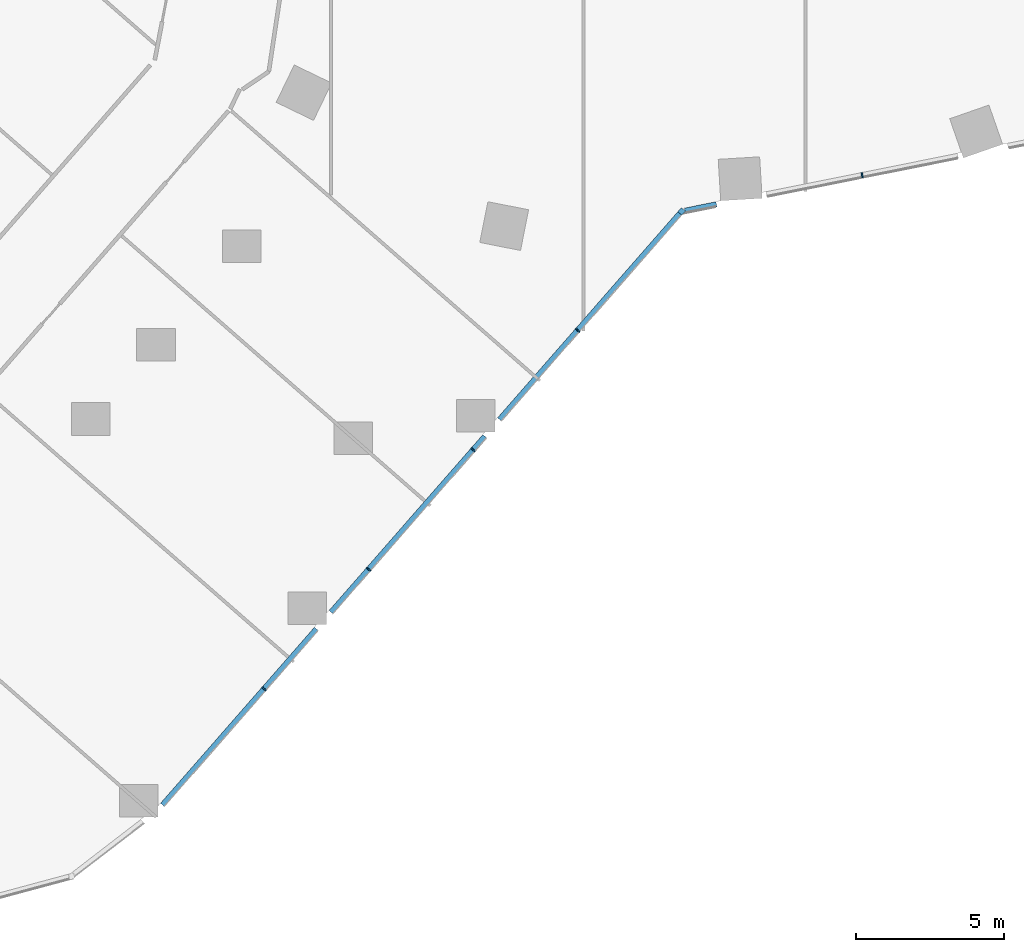
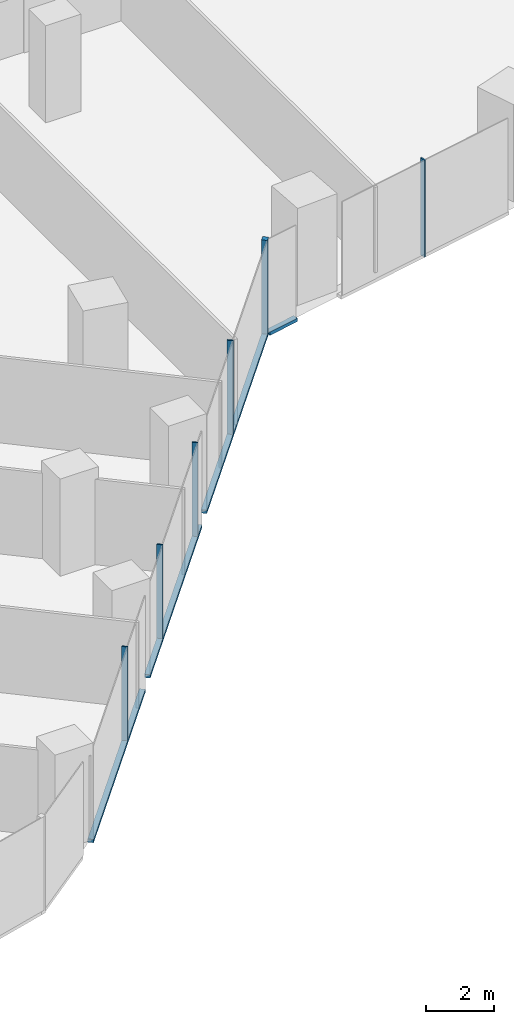
# One storey, part 4 of 38: 10 members, 2 elements without a shape of their own.
"""IFC4 building model written with IfcOpenShell, lengths in metres."""

from ifc_helpers import new_model, si_unit, direction, frame, origin, origin_2d, place, context, subcontext, project, spatial, rectangle, extrude, material, material_profile, profile_set, type_object, element, aggregate, save


model = new_model("IFC4")

# Units and contexts
model_context = context("Model", 3, precision=1e-05, world=origin(), true_north=direction((0.0, 1.0)))
body_context = subcontext(model_context, "Body", "Model", "MODEL_VIEW")
ifc_project = project(units=[si_unit("LENGTHUNIT", "METRE"), si_unit("AREAUNIT", "SQUARE_METRE"), si_unit("VOLUMEUNIT", "CUBIC_METRE"), si_unit("PLANEANGLEUNIT", "RADIAN"), si_unit("MASSUNIT", "GRAM", prefix="KILO")], contexts=[model_context])

# Site, building, storey
site_placement = place(None, origin())
site = spatial("IfcSite", under=ifc_project, at=site_placement, CompositionType="ELEMENT")
building_placement = place(site_placement, origin())
building = spatial("IfcBuilding", under=site, at=building_placement, Name="Orlundy Tower", CompositionType="ELEMENT")
storey_placement = place(building_placement, frame((0.0, 0.0, 62.300048828125)))
storey = spatial("IfcBuildingStorey", under=building, at=storey_placement, Name="L14", CompositionType="ELEMENT", Elevation=62.300048828125)

# Curtain wall, member
ifc_material_1 = material(Name="Aluminium bronze anodised", Category="aluminium")
curtain_wall_type = type_object("IfcCurtainWallType", Name="CW1 wall", PredefinedType="NOTDEFINED", material=ifc_material_1)
curtain_wall_1_placement = place(storey_placement, origin())
curtain_wall_1 = element("IfcCurtainWall", 1, at=curtain_wall_1_placement, inside=storey, type_object=curtain_wall_type, Name="CW1 run 02", PredefinedType="NOTDEFINED")
ifc_material_2 = material(Name="Aluminium bronze anodised", Category="aluminium")
ifc_material_profile_1 = material_profile(ifc_material_2, rectangle(XDim=0.179931640625, YDim=0.179931640625, at=origin_2d()), Name="CW1 corner post 180x180")
ifc_profile_set_1 = profile_set([ifc_material_profile_1], Name="Aluminium bronze anodised")
member_type_1 = type_object("IfcMemberType", Name="CW1 corner post 180x180", PredefinedType="MULLION", material=ifc_profile_set_1)
member_1_placement = place(storey_placement, frame((-0.178466796875, -30.72412109375, -0.400146484375), z_axis=(0.0, 0.0, 1.0), x_axis=(0.752791745563, -0.658258754452, 0.0)))
member_1 = element("IfcMember", 2, at=member_1_placement, type_object=member_type_1, Name="CW1 mullion 9", PredefinedType="MULLION", context=body_context, shape_type="SweptSolid", body=[
    extrude(rectangle(XDim=0.179931640625, YDim=0.179931640625, at=origin_2d()), origin(), (0.0, 0.0, 1.0), 3.5),
])

curtain_wall_2_placement = place(storey_placement, origin())
curtain_wall_2 = element("IfcCurtainWall", 3, at=curtain_wall_2_placement, inside=storey, type_object=curtain_wall_type, Name="CW1 run 01", PredefinedType="NOTDEFINED")
ifc_material_3 = material(Name="Aluminium bronze anodised", Category="aluminium")
ifc_material_profile_2 = material_profile(ifc_material_3, rectangle(XDim=0.179931640625, YDim=0.050048828125, at=origin_2d()), Name="CW1 mullion 50x180")
ifc_profile_set_2 = profile_set([ifc_material_profile_2], Name="Aluminium bronze anodised")
member_type_2 = type_object("IfcMemberType", Name="CW1 mullion 50x180", PredefinedType="MULLION", material=ifc_profile_set_2)
member_2_placement = place(storey_placement, frame((5.9130859375, -29.503173828125, -0.400146484375), z_axis=(0.0, 0.0, 1.0), x_axis=(0.196531950572, -0.980497420907, 0.0)))
member_2 = element("IfcMember", 4, at=member_2_placement, type_object=member_type_2, Name="CW1 mullion 8", PredefinedType="MULLION", context=body_context, shape_type="SweptSolid", body=[
    extrude(rectangle(XDim=0.179931640625, YDim=0.050048828125, at=origin_2d()), origin(), (0.0, 0.0, 1.0), 3.5),
])

# Member
member_3_placement = place(storey_placement, frame((-3.6845703125, -34.73388671875, -0.400146484375), z_axis=(0.0, 0.0, 1.0), x_axis=(0.752791745563, -0.658258754452, 0.0)))
member_3 = element("IfcMember", 5, at=member_3_placement, type_object=member_type_2, Name="CW1 mullion 10", PredefinedType="MULLION", context=body_context, shape_type="SweptSolid", body=[
    extrude(rectangle(XDim=0.179931640625, YDim=0.050048828125, at=origin_2d()), origin(), (0.0, 0.0, 1.0), 3.5),
])

member_4_placement = place(storey_placement, frame((-7.210693359375, -38.766357421875, -0.400146484375), z_axis=(0.0, 0.0, 1.0), x_axis=(0.752791745563, -0.658258754452, 0.0)))
member_4 = element("IfcMember", 6, at=member_4_placement, type_object=member_type_2, Name="CW1 mullion 11", PredefinedType="MULLION", context=body_context, shape_type="SweptSolid", body=[
    extrude(rectangle(XDim=0.179931640625, YDim=0.050048828125, at=origin_2d()), origin(), (0.0, 0.0, 1.0), 3.5),
])

member_5_placement = place(storey_placement, frame((-10.73681640625, -42.799072265625, -0.400146484375), z_axis=(0.0, 0.0, 1.0), x_axis=(0.752791745563, -0.658258754452, 0.0)))
member_5 = element("IfcMember", 7, at=member_5_placement, type_object=member_type_2, Name="CW1 mullion 12", PredefinedType="MULLION", context=body_context, shape_type="SweptSolid", body=[
    extrude(rectangle(XDim=0.179931640625, YDim=0.050048828125, at=origin_2d()), origin(), (0.0, 0.0, 1.0), 3.5),
])

member_6_placement = place(storey_placement, frame((-14.262939453125, -46.83154296875, -0.400146484375), z_axis=(0.0, 0.0, 1.0), x_axis=(0.752791745563, -0.658258754452, 0.0)))
member_6 = element("IfcMember", 8, at=member_6_placement, type_object=member_type_2, Name="CW1 mullion 13", PredefinedType="MULLION", context=body_context, shape_type="SweptSolid", body=[
    extrude(rectangle(XDim=0.179931640625, YDim=0.050048828125, at=origin_2d()), origin(), (0.0, 0.0, 1.0), 3.5),
])

ifc_material_4 = material(Name="Aluminium bronze anodised", Category="aluminium")
ifc_material_profile_3 = material_profile(ifc_material_4, rectangle(XDim=0.179931640625, YDim=0.1201171875, at=origin_2d()), Name="CW1 transom 180x120")
ifc_profile_set_3 = profile_set([ifc_material_profile_3], Name="Aluminium bronze anodised")
member_type_3 = type_object("IfcMemberType", Name="CW1 transom 180x120", PredefinedType="USERDEFINED", material=ifc_profile_set_3)
member_7_placement = place(storey_placement, frame((0.997802734375, -30.488525390625, -0.340087890625), z_axis=(-0.980511450145, -0.196461945765, 0.0), x_axis=(0.196461945765, -0.980511450145, 0.0)))
member_7 = element("IfcMember", 9, at=member_7_placement, type_object=member_type_3, Name="CW1 transom", ObjectType="TRANSOM", PredefinedType="USERDEFINED", context=body_context, shape_type="SweptSolid", body=[
    extrude(rectangle(XDim=0.179931640625, YDim=0.1201171875, at=origin_2d()), origin(), (0.0, 0.0, 1.0), 1.086181640625),
])

aggregate(curtain_wall_2, [member_2, member_7])

member_8_placement = place(storey_placement, frame((-0.237548828125, -30.7919921875, -0.340087890625), z_axis=(-0.658268809442, -0.752782953125, 0.0), x_axis=(0.752782953125, -0.658268809442, 0.0)))
member_8 = element("IfcMember", 10, at=member_8_placement, type_object=member_type_3, Name="CW1 transom", ObjectType="TRANSOM", PredefinedType="USERDEFINED", context=body_context, shape_type="SweptSolid", body=[
    extrude(rectangle(XDim=0.179931640625, YDim=0.1201171875, at=origin_2d()), origin(), (0.0, 0.0, 1.0), 9.2373046875),
])

member_9_placement = place(storey_placement, frame((-6.813232421875, -38.31201171875, -0.340087890625), z_axis=(-0.658267711091, -0.752783913573, 0.0), x_axis=(0.752783913573, -0.658267711091, 0.0)))
member_9 = element("IfcMember", 11, at=member_9_placement, type_object=member_type_3, Name="CW1 transom", ObjectType="TRANSOM", PredefinedType="USERDEFINED", context=body_context, shape_type="SweptSolid", body=[
    extrude(rectangle(XDim=0.179931640625, YDim=0.1201171875, at=origin_2d()), origin(), (0.0, 0.0, 1.0), 7.880859375),
])

member_10_placement = place(storey_placement, frame((-12.4970703125, -44.81201171875, -0.340087890625), z_axis=(-0.65825685111, -0.752793409885, 0.0), x_axis=(0.752793409885, -0.65825685111, 0.0)))
member_10 = element("IfcMember", 12, at=member_10_placement, type_object=member_type_3, Name="CW1 transom", ObjectType="TRANSOM", PredefinedType="USERDEFINED", context=body_context, shape_type="SweptSolid", body=[
    extrude(rectangle(XDim=0.179931640625, YDim=0.1201171875, at=origin_2d()), origin(), (0.0, 0.0, 1.0), 7.88427734375),
])

aggregate(curtain_wall_1, [member_1, member_3, member_4, member_5, member_6, member_8, member_9, member_10])

save(model, "model.ifc")
